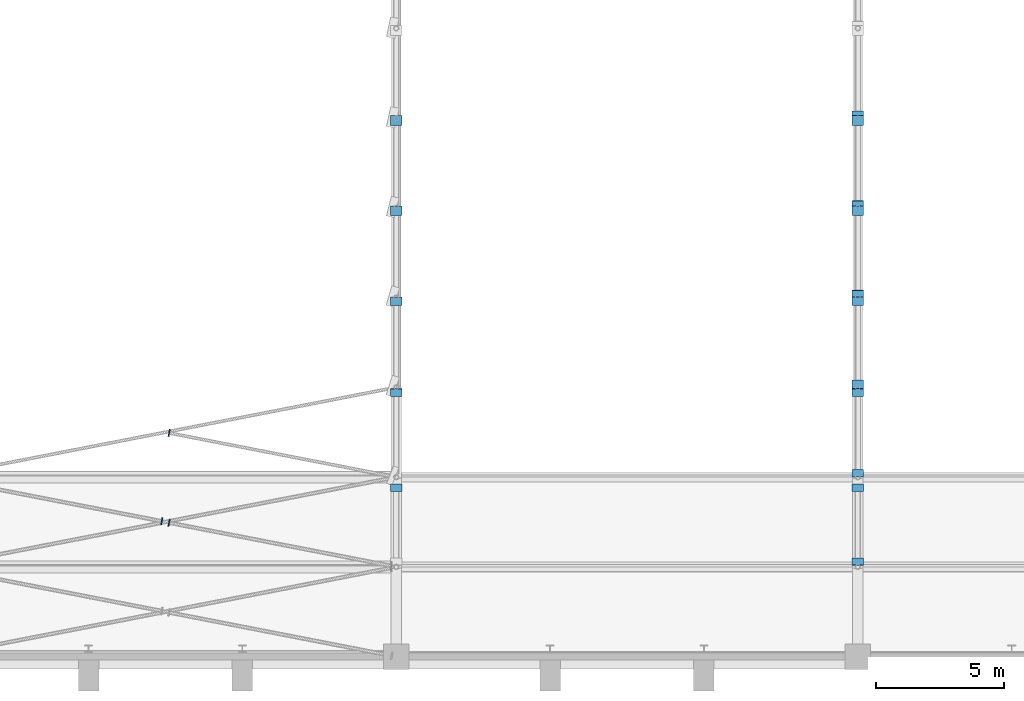
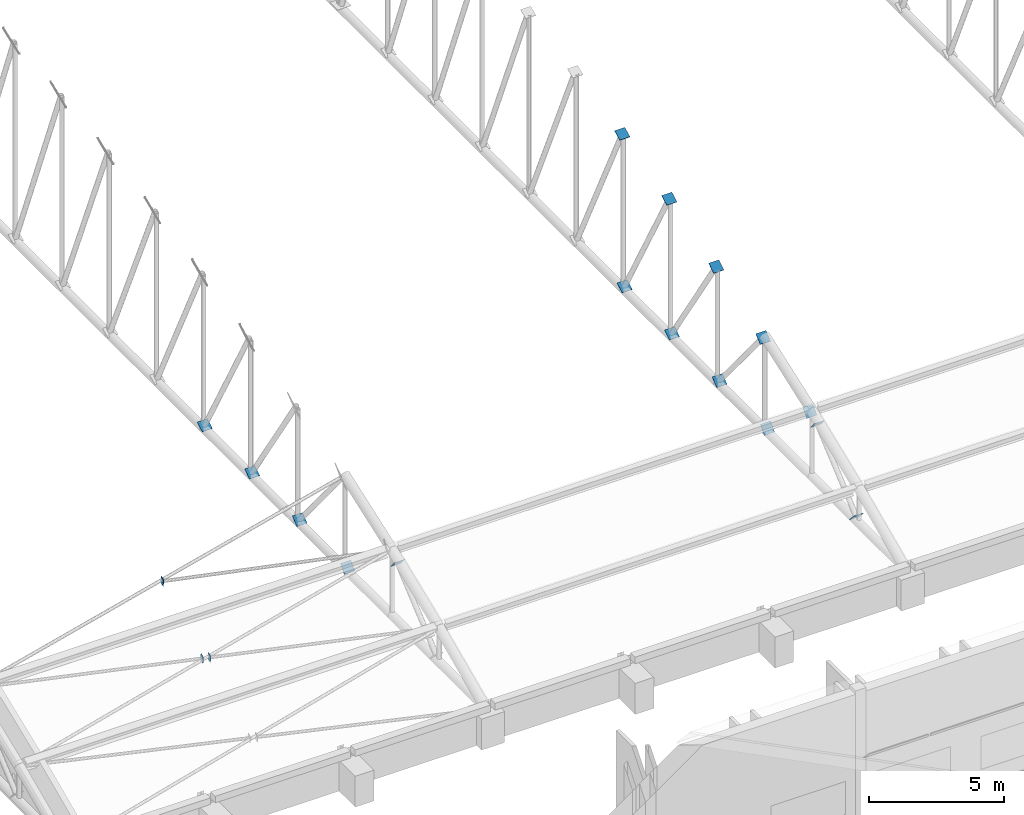
# One storey, part 144 of 196: 19 discrete accessories.
"""IFC4 building model written with IfcOpenShell, lengths in metres."""

from ifc_helpers import new_model, si_unit, direction, frame, origin, origin_2d, place, context, subcontext, project, spatial, rectangle, extrude, material, layer, layer_set, type_object, element, save


model = new_model("IFC4")

# Units and contexts
model_context = context("Model", 3, precision=1e-05, world=origin(), true_north=direction((0.0, 1.0)))
body_context = subcontext(model_context, "Body", "Model", "MODEL_VIEW")
ifc_project = project(units=[si_unit("LENGTHUNIT", "METRE"), si_unit("AREAUNIT", "SQUARE_METRE"), si_unit("VOLUMEUNIT", "CUBIC_METRE"), si_unit("PLANEANGLEUNIT", "RADIAN"), si_unit("MASSUNIT", "GRAM", prefix="KILO")], contexts=[model_context])

# Site, building, storey
site_placement = place(None, origin())
site = spatial("IfcSite", under=ifc_project, at=site_placement, CompositionType="ELEMENT")
building_placement = place(site_placement, origin())
building = spatial("IfcBuilding", under=site, at=building_placement, Name="Okhra Congress Centre", CompositionType="ELEMENT")
storey_placement = place(building_placement, frame((0.0, 0.0, 12.0)))
storey = spatial("IfcBuildingStorey", under=building, at=storey_placement, Name="L02", CompositionType="ELEMENT", Elevation=12.0)

# Discrete accessories
ifc_material = material(Name="Steel S355J2", Category="steel")
ifc_layer = layer(ifc_material, 0.02001953125)
ifc_layer_set = layer_set([ifc_layer], Name="Brace end connection plate 20 mm S355")
discrete_accessory_type = type_object("IfcDiscreteAccessoryType", Name="Brace end connection plate 20 mm S355", PredefinedType="BRACKET", material=ifc_layer_set)
for number, where, z_axis, x_axis, name in (
    (1, (46.0, 138.57421875, 4.01220703125), (0.0, 0.760121344352, 0.649781149204), (-1.0, 0.0, 0.0), "Brace end connection plate"),
    (2, (46.0, 142.290771484375, 1.577880859375), (0.0, 0.760121344352, -0.649781149204), (-1.0, 0.0, 0.0), "Brace end connection plate"),
    (3, (46.0, 145.852783203125, 1.577880859375), (0.0, 0.643761629109, -0.765226087432), (-1.0, 0.0, 0.0), "Brace end connection plate"),
    (4, (46.0, 149.38330078125, 1.577880859375), (0.0, 0.546267780547, -0.837610596839), (-1.0, 0.0, 0.0), "Brace end connection plate"),
    (5, (46.0, 152.9013671875, 1.577880859375), (0.0, 0.485642931179, -0.874157276122), (-1.0, 0.0, 0.0), "Brace end connection plate"),
    (6, (64.0, 138.57421875, 4.01220703125), (0.0, 0.760121344352, 0.649781149204), (-1.0, 0.0, 0.0), "Brace end connection plate"),
    (7, (64.0, 135.709228515625, 1.577880859375), (0.0, -0.760121344352, -0.649781149204), (1.0, 0.0, 0.0), "Brace end connection plate"),
    (8, (64.0, 139.1611328125, 4.237060546875), (0.0, -0.760121344352, 0.649781149204), (1.0, 0.0, 0.0), "Brace end connection plate"),
    (9, (64.0, 142.290771484375, 1.577880859375), (0.0, 0.760121344352, -0.649781149204), (-1.0, 0.0, 0.0), "Brace end connection plate"),
    (10, (64.0, 142.626220703125, 5.476318359375), (0.0, -0.630592625094, 0.776114000116), (1.0, 0.0, 0.0), "Brace end connection plate"),
    (11, (64.0, 145.852783203125, 1.577880859375), (0.0, 0.643761629109, -0.765226087432), (-1.0, 0.0, 0.0), "Brace end connection plate"),
    (12, (64.0, 146.10595703125, 6.576416015625), (0.0, -0.551866900848, 0.833932205727), (1.0, 0.0, 0.0), "Brace end connection plate"),
    (13, (64.0, 149.38330078125, 1.577880859375), (0.0, 0.546267780547, -0.837610596839), (-1.0, 0.0, 0.0), "Brace end connection plate"),
    (14, (64.0, 149.5927734375, 7.538330078125), (0.0, -0.485642931179, 0.874157276122), (1.0, 0.0, 0.0), "Brace end connection plate"),
    (15, (64.0, 152.9013671875, 1.577880859375), (0.0, 0.485642931179, -0.874157276122), (-1.0, 0.0, 0.0), "Brace end connection plate"),
):
    element("IfcDiscreteAccessory", number, at=place(storey_placement, frame(where, z_axis=z_axis, x_axis=x_axis)), inside=storey, type_object=discrete_accessory_type, Name=name, PredefinedType="BRACKET", context=body_context, shape_type="SweptSolid", body=[
        extrude(rectangle(XDim=0.43798828125, YDim=0.43798828125, at=origin_2d()), origin(), (0.0, 0.0, 1.0), 0.02001953125),
    ])
discrete_accessory_placement = place(storey_placement, frame((64.0, 153.083740234375, 8.365234375), z_axis=(0.0, -0.44229248412, 0.896870870578), x_axis=(1.0, 0.0, 0.0)))
element("IfcDiscreteAccessory", 16, at=discrete_accessory_placement, inside=storey, type_object=discrete_accessory_type, Name="Brace end connection plate", PredefinedType="BRACKET", context=body_context, shape_type="SweptSolid", body=[
    extrude(rectangle(XDim=0.43798828125, YDim=0.43798828125, at=origin_2d()), origin(), (0.0, 0.0, 1.0), 0.019775390625),
])
for number, where, z_axis, x_axis, name in (
    (17, (37.152587890625, 137.22021484375, 3.658447265625), (-0.977939573758, 0.195587914752, 0.073345468032), (-0.196116135138, -0.980580675691, 0.0), "Brace end connection plate"),
    (18, (36.847412109375, 137.27978515625, 3.682373046875), (0.977939573758, -0.195587914752, -0.073345468032), (0.196116135138, 0.980580675691, 0.0), "Brace end connection plate"),
    (19, (37.155029296875, 140.719970703125, 4.99072265625), (-0.980212576021, 0.183789858004, 0.073515943202), (-0.18428853505, -0.982872186934, 0.0), "Brace end connection plate"),
):
    element("IfcDiscreteAccessory", number, at=place(storey_placement, frame(where, z_axis=z_axis, x_axis=x_axis)), inside=storey, type_object=discrete_accessory_type, Name=name, PredefinedType="BRACKET", context=body_context, shape_type="SweptSolid", body=[
        extrude(rectangle(XDim=0.279052734375, YDim=0.279052734375, at=origin_2d()), origin(), (0.0, 0.0, 1.0), 0.02001953125),
    ])

save(model, "model.ifc")
